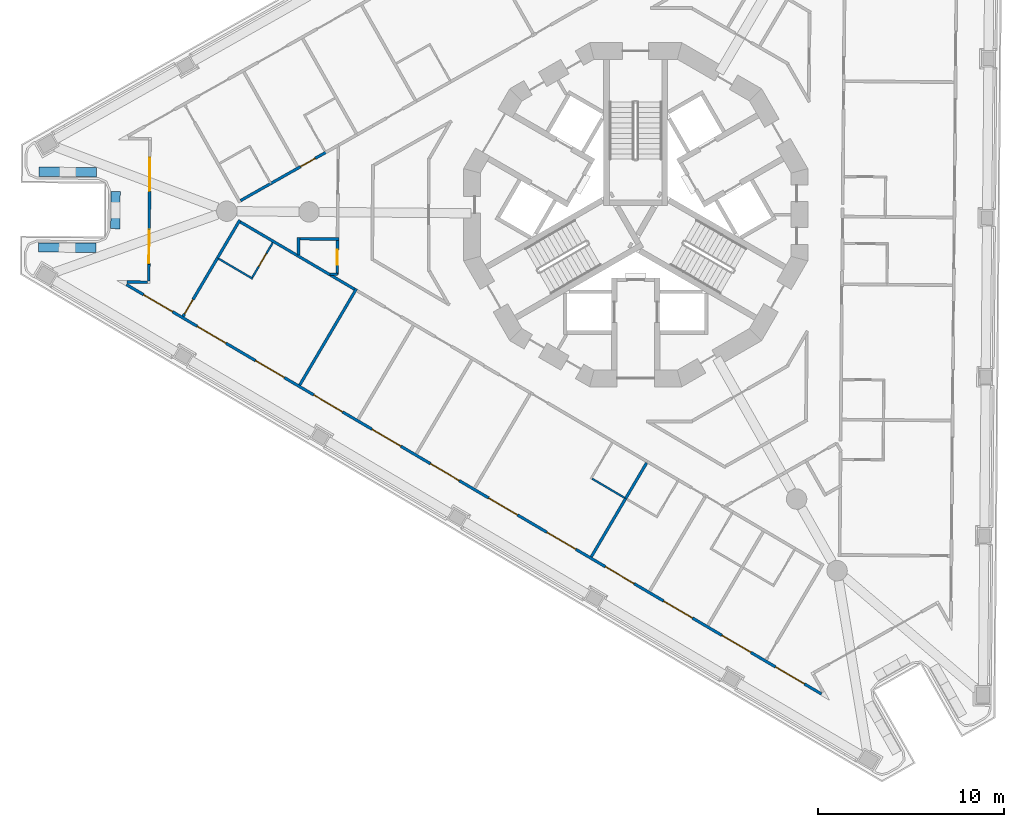
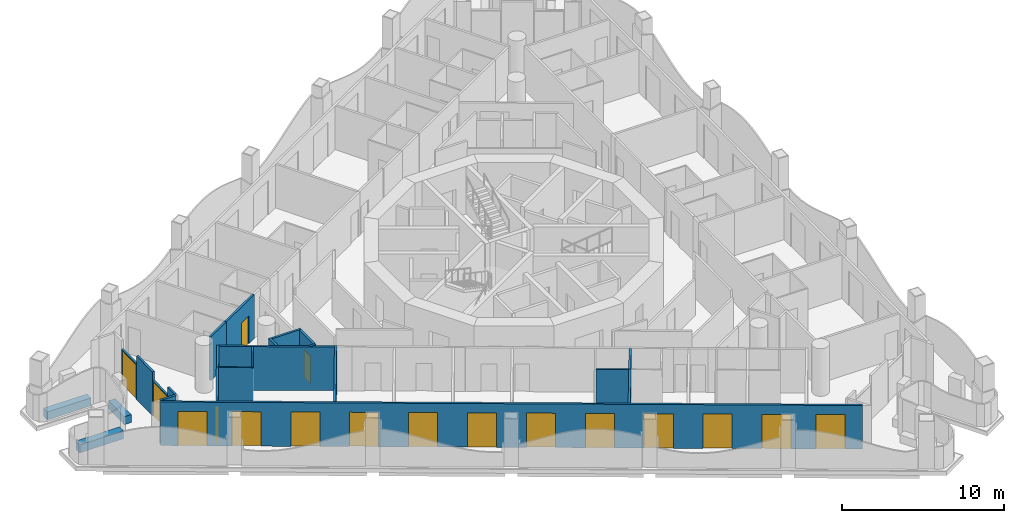
# One storey, part 2 of 17: 24 walls, 18 doors, 18 openings.
"""IFC4 building model written with IfcOpenShell, lengths in metres."""

from ifc_helpers import new_model, si_unit, direction, frame, frame_2d, origin, place, context, subcontext, project, spatial, polyline, rectangle, outline, extrude, material, layer, layer_set, type_object, element, fill, save


model = new_model("IFC4")

# Units and contexts
model_context = context("Model", 3, precision=1e-05, world=origin(), true_north=direction((0.0, 1.0)))
body_context = subcontext(model_context, "Body", "Model", "MODEL_VIEW")
ifc_project = project(units=[si_unit("LENGTHUNIT", "METRE"), si_unit("AREAUNIT", "SQUARE_METRE"), si_unit("VOLUMEUNIT", "CUBIC_METRE"), si_unit("PLANEANGLEUNIT", "RADIAN"), si_unit("MASSUNIT", "GRAM", prefix="KILO")], contexts=[model_context])

# Site, building, storey
site_placement = place(None, origin())
site = spatial("IfcSite", under=ifc_project, at=site_placement, CompositionType="ELEMENT")
building_placement = place(site_placement, origin())
building = spatial("IfcBuilding", under=site, at=building_placement, Name="Trine Commons Tower", CompositionType="ELEMENT")
storey_placement = place(building_placement, frame((0.0, 0.0, 182.699951171875)))
storey = spatial("IfcBuildingStorey", under=building, at=storey_placement, Name="L47", CompositionType="ELEMENT", Elevation=182.699951171875)

# Walls
ifc_material_1 = material(Name="Aluminium-framed insulated wall panel", Category="aluminium")
ifc_layer_1 = layer(ifc_material_1, 0.14990234375)
ifc_layer_set_1 = layer_set([ifc_layer_1], Name="Aluminium-framed insulated wall panel")
wall_type_1 = type_object("IfcWallType", Name="Glazed frame wall 150, EI 60", PredefinedType="SOLIDWALL", material=ifc_layer_set_1)
wall_1_placement = place(storey_placement, frame((52.447265625, 58.875244140625, 0.0), z_axis=(0.0, 0.0, 1.0), x_axis=(0.999962043845, -0.008712684354, 0.0)))
element("IfcWall", 1, at=wall_1_placement, inside=storey, type_object=wall_type_1, Name="Glazed frame wall R1", PredefinedType="SOLIDWALL", context=body_context, shape_type="SweptSolid", body=[
    extrude(outline(polyline([(0.1494140625, 0.074951171875), (0.1494140625, -0.074951171875), (1.235107421875, -0.074951171875), (1.235107421875, 0.074951171875), (0.1494140625, 0.074951171875)])), origin(), (0.0, 0.0, 1.0), 3.300048828125),
])
wall_2_placement = place(storey_placement, frame((53.7568359375, 58.828857421875, 0.0), z_axis=(0.0, 0.0, 1.0), x_axis=(0.008788723053, 0.999961378428, 0.0)))
element("IfcWall", 2, at=wall_2_placement, inside=storey, type_object=wall_type_1, Name="Glazed frame wall P1.1", PredefinedType="SOLIDWALL", context=body_context, shape_type="SweptSolid", body=[
    extrude(outline(polyline([(0.110107421875, -0.074951171875), (1.0, -0.074951171875), (1.0, 0.074951171875), (0.110107421875, 0.074951171875), (0.110107421875, -0.074951171875)])), origin(), (0.0, 0.0, 1.0), 3.300048828125),
])

# Wall, opening, door
wall_3_placement = place(storey_placement, frame((53.765625, 59.828857421875, 0.0), z_axis=(0.0, 0.0, 1.0), x_axis=(0.008737780017, 0.999961824872, 0.0)))
wall_3 = element("IfcWall", 3, at=wall_3_placement, inside=storey, type_object=wall_type_1, Name="Glazed frame wall P1.2", PredefinedType="SOLIDWALL", context=body_context, shape_type="SweptSolid", body=[
    extrude(outline(polyline([(0.0, -0.074951171875), (1.89990234375, -0.074951171875), (1.89990234375, 0.074951171875), (0.0, 0.074951171875), (0.0, -0.074951171875)])), origin(), (0.0, 0.0, 1.0), 2.650146484375),
])
opening_1_placement = place(wall_3_placement, frame((0.050048828125, 0.0, 0.0)))
opening_1 = element("IfcOpeningElement", 4, at=opening_1_placement, cuts=wall_3, Name="Opening BD-5P1-01", PredefinedType="OPENING", context=body_context, shape_type="SweptSolid", body=[
    extrude(rectangle(XDim=1.800048828125, YDim=2.60009765625, at=frame_2d((0.89990234375, 1.300048828125))), frame((0.0, 0.0849609375, 0.0), z_axis=(0.0, -1.0, 0.0), x_axis=(1.0, 0.0, 0.0)), (0.0, 0.0, 1.0), 0.169921875),
])
ifc_material_2 = material(Name="Anodised aluminium frame with double glazing", Category="aluminium")
door_type_1 = type_object("IfcDoorType", Name="Sliding loggia door 1800x2600", OperationType="SLIDING_TO_LEFT", PredefinedType="DOOR", material=ifc_material_2)
door_1_placement = place(opening_1_placement, origin())
door_1 = element("IfcDoor", 5, at=door_1_placement, inside=storey, type_object=door_type_1, Name="Loggia door P1 1", OperationType="SLIDING_TO_LEFT", OverallHeight=2.60009765625, OverallWidth=1.800048828125, PredefinedType="DOOR", context=body_context, shape_type="SweptSolid", body=[
    extrude(rectangle(XDim=1.800048828125, YDim=2.60009765625, at=frame_2d((0.89990234375, 1.300048828125))), frame((0.0, 0.02490234375, 0.0), z_axis=(0.0, -1.0, 0.0), x_axis=(1.0, 0.0, 0.0)), (0.0, 0.0, 1.0), 0.050048828125),
])
fill(opening_1, door_1)

# Wall
wall_4_placement = place(storey_placement, frame((53.7822265625, 61.728759765625, 0.0), z_axis=(0.0, 0.0, 1.0), x_axis=(0.008788723053, 0.999961378428, 0.0)))
element("IfcWall", 6, at=wall_4_placement, inside=storey, type_object=wall_type_1, Name="Glazed frame wall P1.3", PredefinedType="SOLIDWALL", context=body_context, shape_type="SweptSolid", body=[
    extrude(outline(polyline([(0.0, -0.074951171875), (2.0, -0.074951171875), (2.0, 0.074951171875), (0.0, 0.074951171875), (0.0, -0.074951171875)])), origin(), (0.0, 0.0, 1.0), 3.300048828125),
])

# Wall, opening, door
wall_5_placement = place(storey_placement, frame((53.7998046875, 63.728759765625, 0.0), z_axis=(0.0, 0.0, 1.0), x_axis=(0.008609292847, 0.999962939352, 0.0)))
wall_5 = element("IfcWall", 7, at=wall_5_placement, inside=storey, type_object=wall_type_1, Name="Glazed frame wall P1.4", PredefinedType="SOLIDWALL", context=body_context, shape_type="SweptSolid", body=[
    extrude(outline(polyline([(0.0, -0.074951171875), (1.89990234375, -0.074951171875), (1.89990234375, 0.074951171875), (0.0, 0.074951171875), (0.0, -0.074951171875)])), origin(), (0.0, 0.0, 1.0), 2.650146484375),
])
opening_2_placement = place(wall_5_placement, frame((0.050048828125, 0.0, 0.0)))
opening_2 = element("IfcOpeningElement", 8, at=opening_2_placement, cuts=wall_5, Name="Opening BD-5P1-02", PredefinedType="OPENING", context=body_context, shape_type="SweptSolid", body=[
    extrude(rectangle(XDim=1.800048828125, YDim=2.60009765625, at=frame_2d((0.89990234375, 1.300048828125))), frame((0.0, 0.0849609375, 0.0), z_axis=(0.0, -1.0, 0.0), x_axis=(1.0, 0.0, 0.0)), (0.0, 0.0, 1.0), 0.169921875),
])
door_2_placement = place(opening_2_placement, origin())
door_2 = element("IfcDoor", 9, at=door_2_placement, inside=storey, type_object=door_type_1, Name="Loggia door P1 2", OperationType="SLIDING_TO_LEFT", OverallHeight=2.60009765625, OverallWidth=1.800048828125, PredefinedType="DOOR", context=body_context, shape_type="SweptSolid", body=[
    extrude(rectangle(XDim=1.800048828125, YDim=2.60009765625, at=frame_2d((0.89990234375, 1.300048828125))), frame((0.0, 0.02490234375, 0.0), z_axis=(0.0, -1.0, 0.0), x_axis=(1.0, 0.0, 0.0)), (0.0, 0.0, 1.0), 0.050048828125),
])
fill(opening_2, door_2)

# Wall, openings, doors
wall_6_placement = place(storey_placement, frame((90.139404296875, 36.59716796875, 0.0), z_axis=(0.0, 0.0, 1.0), x_axis=(-0.861630336939, 0.507536365659, 0.0)))
wall_6 = element("IfcWall", 10, at=wall_6_placement, inside=storey, type_object=wall_type_1, Name="Glazed frame wall F3", PredefinedType="SOLIDWALL", context=body_context, shape_type="SweptSolid", body=[
    extrude(outline(polyline([(0.1494140625, 0.074951171875), (0.1494140625, -0.074951171875), (43.616943359375, -0.074951171875), (43.616943359375, 0.074951171875), (0.1494140625, 0.074951171875)])), origin(), (0.0, 0.0, 1.0), 3.300048828125),
])
opening_3_placement = place(wall_6_placement, frame((1.2236328125, 0.0, 0.0)))
opening_3 = element("IfcOpeningElement", 11, at=opening_3_placement, cuts=wall_6, Name="Opening BD-5F3-01", PredefinedType="OPENING", context=body_context, shape_type="SweptSolid", body=[
    extrude(rectangle(XDim=1.800048828125, YDim=2.60009765625, at=frame_2d((0.89990234375, 1.300048828125))), frame((0.0, 0.0849609375, 0.0), z_axis=(0.0, -1.0, 0.0), x_axis=(1.0, 0.0, 0.0)), (0.0, 0.0, 1.0), 0.169921875),
])
opening_4_placement = place(wall_6_placement, frame((4.57080078125, 0.0, 0.0)))
opening_4 = element("IfcOpeningElement", 12, at=opening_4_placement, cuts=wall_6, Name="Opening BD-5F3-02", PredefinedType="OPENING", context=body_context, shape_type="SweptSolid", body=[
    extrude(rectangle(XDim=1.800048828125, YDim=2.60009765625, at=frame_2d((0.89990234375, 1.300048828125))), frame((0.0, 0.0849609375, 0.0), z_axis=(0.0, -1.0, 0.0), x_axis=(1.0, 0.0, 0.0)), (0.0, 0.0, 1.0), 0.169921875),
])
opening_5_placement = place(wall_6_placement, frame((8.218017578125, 0.0, 0.0)))
opening_5 = element("IfcOpeningElement", 13, at=opening_5_placement, cuts=wall_6, Name="Opening BD-5F3-03", PredefinedType="OPENING", context=body_context, shape_type="SweptSolid", body=[
    extrude(rectangle(XDim=1.800048828125, YDim=2.60009765625, at=frame_2d((0.89990234375, 1.300048828125))), frame((0.0, 0.0849609375, 0.0), z_axis=(0.0, -1.0, 0.0), x_axis=(1.0, 0.0, 0.0)), (0.0, 0.0, 1.0), 0.169921875),
])
opening_6_placement = place(wall_6_placement, frame((11.865234375, 0.0, 0.0)))
opening_6 = element("IfcOpeningElement", 14, at=opening_6_placement, cuts=wall_6, Name="Opening BD-5F3-04", PredefinedType="OPENING", context=body_context, shape_type="SweptSolid", body=[
    extrude(rectangle(XDim=1.800048828125, YDim=2.60009765625, at=frame_2d((0.89990234375, 1.300048828125))), frame((0.0, 0.0849609375, 0.0), z_axis=(0.0, -1.0, 0.0), x_axis=(1.0, 0.0, 0.0)), (0.0, 0.0, 1.0), 0.169921875),
])
opening_7_placement = place(wall_6_placement, frame((15.512451171875, 0.0, 0.0)))
opening_7 = element("IfcOpeningElement", 15, at=opening_7_placement, cuts=wall_6, Name="Opening BD-5F3-05", PredefinedType="OPENING", context=body_context, shape_type="SweptSolid", body=[
    extrude(rectangle(XDim=1.800048828125, YDim=2.60009765625, at=frame_2d((0.89990234375, 1.300048828125))), frame((0.0, 0.0849609375, 0.0), z_axis=(0.0, -1.0, 0.0), x_axis=(1.0, 0.0, 0.0)), (0.0, 0.0, 1.0), 0.169921875),
])
opening_8_placement = place(wall_6_placement, frame((19.15966796875, 0.0, 0.0)))
opening_8 = element("IfcOpeningElement", 16, at=opening_8_placement, cuts=wall_6, Name="Opening BD-5F3-06", PredefinedType="OPENING", context=body_context, shape_type="SweptSolid", body=[
    extrude(rectangle(XDim=1.800048828125, YDim=2.60009765625, at=frame_2d((0.89990234375, 1.300048828125))), frame((0.0, 0.0849609375, 0.0), z_axis=(0.0, -1.0, 0.0), x_axis=(1.0, 0.0, 0.0)), (0.0, 0.0, 1.0), 0.169921875),
])
opening_9_placement = place(wall_6_placement, frame((22.806884765625, 0.0, 0.0)))
opening_9 = element("IfcOpeningElement", 17, at=opening_9_placement, cuts=wall_6, Name="Opening BD-5F3-07", PredefinedType="OPENING", context=body_context, shape_type="SweptSolid", body=[
    extrude(rectangle(XDim=1.800048828125, YDim=2.60009765625, at=frame_2d((0.89990234375, 1.300048828125))), frame((0.0, 0.0849609375, 0.0), z_axis=(0.0, -1.0, 0.0), x_axis=(1.0, 0.0, 0.0)), (0.0, 0.0, 1.0), 0.169921875),
])
opening_10_placement = place(wall_6_placement, frame((26.4541015625, 0.0, 0.0)))
opening_10 = element("IfcOpeningElement", 18, at=opening_10_placement, cuts=wall_6, Name="Opening BD-5F3-08", PredefinedType="OPENING", context=body_context, shape_type="SweptSolid", body=[
    extrude(rectangle(XDim=1.800048828125, YDim=2.60009765625, at=frame_2d((0.89990234375, 1.300048828125))), frame((0.0, 0.0849609375, 0.0), z_axis=(0.0, -1.0, 0.0), x_axis=(1.0, 0.0, 0.0)), (0.0, 0.0, 1.0), 0.169921875),
])
opening_11_placement = place(wall_6_placement, frame((30.101318359375, 0.0, 0.0)))
opening_11 = element("IfcOpeningElement", 19, at=opening_11_placement, cuts=wall_6, Name="Opening BD-5F3-09", PredefinedType="OPENING", context=body_context, shape_type="SweptSolid", body=[
    extrude(rectangle(XDim=1.800048828125, YDim=2.60009765625, at=frame_2d((0.89990234375, 1.300048828125))), frame((0.0, 0.0849609375, 0.0), z_axis=(0.0, -1.0, 0.0), x_axis=(1.0, 0.0, 0.0)), (0.0, 0.0, 1.0), 0.169921875),
])
opening_12_placement = place(wall_6_placement, frame((33.748291015625, 0.0, 0.0)))
opening_12 = element("IfcOpeningElement", 20, at=opening_12_placement, cuts=wall_6, Name="Opening BD-5F3-10", PredefinedType="OPENING", context=body_context, shape_type="SweptSolid", body=[
    extrude(rectangle(XDim=1.800048828125, YDim=2.60009765625, at=frame_2d((0.89990234375, 1.300048828125))), frame((0.0, 0.0849609375, 0.0), z_axis=(0.0, -1.0, 0.0), x_axis=(1.0, 0.0, 0.0)), (0.0, 0.0, 1.0), 0.169921875),
])
opening_13_placement = place(wall_6_placement, frame((37.3955078125, 0.0, 0.0)))
opening_13 = element("IfcOpeningElement", 21, at=opening_13_placement, cuts=wall_6, Name="Opening BD-5F3-11", PredefinedType="OPENING", context=body_context, shape_type="SweptSolid", body=[
    extrude(rectangle(XDim=1.800048828125, YDim=2.60009765625, at=frame_2d((0.89990234375, 1.300048828125))), frame((0.0, 0.0849609375, 0.0), z_axis=(0.0, -1.0, 0.0), x_axis=(1.0, 0.0, 0.0)), (0.0, 0.0, 1.0), 0.169921875),
])
opening_14_placement = place(wall_6_placement, frame((40.742919921875, 0.0, 0.0)))
opening_14 = element("IfcOpeningElement", 22, at=opening_14_placement, cuts=wall_6, Name="Opening BD-5F3-12", PredefinedType="OPENING", context=body_context, shape_type="SweptSolid", body=[
    extrude(rectangle(XDim=1.800048828125, YDim=2.60009765625, at=frame_2d((0.89990234375, 1.300048828125))), frame((0.0, 0.0849609375, 0.0), z_axis=(0.0, -1.0, 0.0), x_axis=(1.0, 0.0, 0.0)), (0.0, 0.0, 1.0), 0.169921875),
])
door_3_placement = place(opening_3_placement, origin())
door_3 = element("IfcDoor", 23, at=door_3_placement, inside=storey, type_object=door_type_1, Name="Loggia door F3 1", OperationType="SLIDING_TO_LEFT", OverallHeight=2.60009765625, OverallWidth=1.800048828125, PredefinedType="DOOR", context=body_context, shape_type="SweptSolid", body=[
    extrude(rectangle(XDim=1.800048828125, YDim=2.60009765625, at=frame_2d((0.89990234375, 1.300048828125))), frame((0.0, 0.02490234375, 0.0), z_axis=(0.0, -1.0, 0.0), x_axis=(1.0, 0.0, 0.0)), (0.0, 0.0, 1.0), 0.050048828125),
])
fill(opening_3, door_3)
door_4_placement = place(opening_4_placement, origin())
door_4 = element("IfcDoor", 24, at=door_4_placement, inside=storey, type_object=door_type_1, Name="Loggia door F3 2", OperationType="SLIDING_TO_LEFT", OverallHeight=2.60009765625, OverallWidth=1.800048828125, PredefinedType="DOOR", context=body_context, shape_type="SweptSolid", body=[
    extrude(rectangle(XDim=1.800048828125, YDim=2.60009765625, at=frame_2d((0.89990234375, 1.300048828125))), frame((0.0, 0.02490234375, 0.0), z_axis=(0.0, -1.0, 0.0), x_axis=(1.0, 0.0, 0.0)), (0.0, 0.0, 1.0), 0.050048828125),
])
fill(opening_4, door_4)
door_5_placement = place(opening_5_placement, origin())
door_5 = element("IfcDoor", 25, at=door_5_placement, inside=storey, type_object=door_type_1, Name="Loggia door F3 3", OperationType="SLIDING_TO_LEFT", OverallHeight=2.60009765625, OverallWidth=1.800048828125, PredefinedType="DOOR", context=body_context, shape_type="SweptSolid", body=[
    extrude(rectangle(XDim=1.800048828125, YDim=2.60009765625, at=frame_2d((0.89990234375, 1.300048828125))), frame((0.0, 0.02490234375, 0.0), z_axis=(0.0, -1.0, 0.0), x_axis=(1.0, 0.0, 0.0)), (0.0, 0.0, 1.0), 0.050048828125),
])
fill(opening_5, door_5)
door_6_placement = place(opening_6_placement, origin())
door_6 = element("IfcDoor", 26, at=door_6_placement, inside=storey, type_object=door_type_1, Name="Loggia door F3 4", OperationType="SLIDING_TO_LEFT", OverallHeight=2.60009765625, OverallWidth=1.800048828125, PredefinedType="DOOR", context=body_context, shape_type="SweptSolid", body=[
    extrude(rectangle(XDim=1.800048828125, YDim=2.60009765625, at=frame_2d((0.89990234375, 1.300048828125))), frame((0.0, 0.02490234375, 0.0), z_axis=(0.0, -1.0, 0.0), x_axis=(1.0, 0.0, 0.0)), (0.0, 0.0, 1.0), 0.050048828125),
])
fill(opening_6, door_6)
door_7_placement = place(opening_7_placement, origin())
door_7 = element("IfcDoor", 27, at=door_7_placement, inside=storey, type_object=door_type_1, Name="Loggia door F3 5", OperationType="SLIDING_TO_LEFT", OverallHeight=2.60009765625, OverallWidth=1.800048828125, PredefinedType="DOOR", context=body_context, shape_type="SweptSolid", body=[
    extrude(rectangle(XDim=1.800048828125, YDim=2.60009765625, at=frame_2d((0.89990234375, 1.300048828125))), frame((0.0, 0.02490234375, 0.0), z_axis=(0.0, -1.0, 0.0), x_axis=(1.0, 0.0, 0.0)), (0.0, 0.0, 1.0), 0.050048828125),
])
fill(opening_7, door_7)
door_8_placement = place(opening_8_placement, origin())
door_8 = element("IfcDoor", 28, at=door_8_placement, inside=storey, type_object=door_type_1, Name="Loggia door F3 6", OperationType="SLIDING_TO_LEFT", OverallHeight=2.60009765625, OverallWidth=1.800048828125, PredefinedType="DOOR", context=body_context, shape_type="SweptSolid", body=[
    extrude(rectangle(XDim=1.800048828125, YDim=2.60009765625, at=frame_2d((0.89990234375, 1.300048828125))), frame((0.0, 0.02490234375, 0.0), z_axis=(0.0, -1.0, 0.0), x_axis=(1.0, 0.0, 0.0)), (0.0, 0.0, 1.0), 0.050048828125),
])
fill(opening_8, door_8)
door_9_placement = place(opening_9_placement, origin())
door_9 = element("IfcDoor", 29, at=door_9_placement, inside=storey, type_object=door_type_1, Name="Loggia door F3 7", OperationType="SLIDING_TO_LEFT", OverallHeight=2.60009765625, OverallWidth=1.800048828125, PredefinedType="DOOR", context=body_context, shape_type="SweptSolid", body=[
    extrude(rectangle(XDim=1.800048828125, YDim=2.60009765625, at=frame_2d((0.89990234375, 1.300048828125))), frame((0.0, 0.02490234375, 0.0), z_axis=(0.0, -1.0, 0.0), x_axis=(1.0, 0.0, 0.0)), (0.0, 0.0, 1.0), 0.050048828125),
])
fill(opening_9, door_9)
door_10_placement = place(opening_10_placement, origin())
door_10 = element("IfcDoor", 30, at=door_10_placement, inside=storey, type_object=door_type_1, Name="Loggia door F3 8", OperationType="SLIDING_TO_LEFT", OverallHeight=2.60009765625, OverallWidth=1.800048828125, PredefinedType="DOOR", context=body_context, shape_type="SweptSolid", body=[
    extrude(rectangle(XDim=1.800048828125, YDim=2.60009765625, at=frame_2d((0.89990234375, 1.300048828125))), frame((0.0, 0.02490234375, 0.0), z_axis=(0.0, -1.0, 0.0), x_axis=(1.0, 0.0, 0.0)), (0.0, 0.0, 1.0), 0.050048828125),
])
fill(opening_10, door_10)
door_11_placement = place(opening_11_placement, origin())
door_11 = element("IfcDoor", 31, at=door_11_placement, inside=storey, type_object=door_type_1, Name="Loggia door F3 9", OperationType="SLIDING_TO_LEFT", OverallHeight=2.60009765625, OverallWidth=1.800048828125, PredefinedType="DOOR", context=body_context, shape_type="SweptSolid", body=[
    extrude(rectangle(XDim=1.800048828125, YDim=2.60009765625, at=frame_2d((0.89990234375, 1.300048828125))), frame((0.0, 0.02490234375, 0.0), z_axis=(0.0, -1.0, 0.0), x_axis=(1.0, 0.0, 0.0)), (0.0, 0.0, 1.0), 0.050048828125),
])
fill(opening_11, door_11)
door_12_placement = place(opening_12_placement, origin())
door_12 = element("IfcDoor", 32, at=door_12_placement, inside=storey, type_object=door_type_1, Name="Loggia door F3 10", OperationType="SLIDING_TO_LEFT", OverallHeight=2.60009765625, OverallWidth=1.800048828125, PredefinedType="DOOR", context=body_context, shape_type="SweptSolid", body=[
    extrude(rectangle(XDim=1.800048828125, YDim=2.60009765625, at=frame_2d((0.89990234375, 1.300048828125))), frame((0.0, 0.02490234375, 0.0), z_axis=(0.0, -1.0, 0.0), x_axis=(1.0, 0.0, 0.0)), (0.0, 0.0, 1.0), 0.050048828125),
])
fill(opening_12, door_12)
door_13_placement = place(opening_13_placement, origin())
door_13 = element("IfcDoor", 33, at=door_13_placement, inside=storey, type_object=door_type_1, Name="Loggia door F3 11", OperationType="SLIDING_TO_LEFT", OverallHeight=2.60009765625, OverallWidth=1.800048828125, PredefinedType="DOOR", context=body_context, shape_type="SweptSolid", body=[
    extrude(rectangle(XDim=1.800048828125, YDim=2.60009765625, at=frame_2d((0.89990234375, 1.300048828125))), frame((0.0, 0.02490234375, 0.0), z_axis=(0.0, -1.0, 0.0), x_axis=(1.0, 0.0, 0.0)), (0.0, 0.0, 1.0), 0.050048828125),
])
fill(opening_13, door_13)
door_14_placement = place(opening_14_placement, origin())
door_14 = element("IfcDoor", 34, at=door_14_placement, inside=storey, type_object=door_type_1, Name="Loggia door F3 12", OperationType="SLIDING_TO_LEFT", OverallHeight=2.60009765625, OverallWidth=1.800048828125, PredefinedType="DOOR", context=body_context, shape_type="SweptSolid", body=[
    extrude(rectangle(XDim=1.800048828125, YDim=2.60009765625, at=frame_2d((0.89990234375, 1.300048828125))), frame((0.0, 0.02490234375, 0.0), z_axis=(0.0, -1.0, 0.0), x_axis=(1.0, 0.0, 0.0)), (0.0, 0.0, 1.0), 0.050048828125),
])
fill(opening_14, door_14)

# Walls
ifc_material_3 = material(Name="Planter trough, precast concrete C40/50", Category="concrete")
ifc_layer_2 = layer(ifc_material_3, 0.5)
ifc_layer_set_2 = layer_set([ifc_layer_2], Name="Planter trough, precast concrete C40/50")
wall_type_2 = type_object("IfcWallType", Name="Planter trough 500x600", PredefinedType="PARAPET", material=ifc_layer_set_2)
wall_7_placement = place(storey_placement, frame((47.808349609375, 60.74072265625, 0.0), z_axis=(0.0, 0.0, 1.0), x_axis=(0.99996247431, -0.008663138708, 0.0)))
element("IfcWall", 35, at=wall_7_placement, inside=storey, type_object=wall_type_2, Name="Planter 1", PredefinedType="PARAPET", context=body_context, shape_type="SweptSolid", body=[
    extrude(rectangle(XDim=3.099853515625, YDim=0.5, at=frame_2d((1.5498046875, 0.0))), origin(), (0.0, 0.0, 1.0), 0.60009765625),
])
wall_8_placement = place(storey_placement, frame((51.957275390625, 61.74462890625, 0.0), z_axis=(0.0, 0.0, 1.0), x_axis=(0.008666666688, 0.999962443739, 0.0)))
element("IfcWall", 36, at=wall_8_placement, inside=storey, type_object=wall_type_2, Name="Planter 2", PredefinedType="PARAPET", context=body_context, shape_type="SweptSolid", body=[
    extrude(rectangle(XDim=2.0, YDim=0.5, at=frame_2d((1.0, 0.0))), origin(), (0.0, 0.0, 1.0), 0.60009765625),
])
wall_9_placement = place(storey_placement, frame((50.94384765625, 64.793701171875, 0.0), z_axis=(0.0, 0.0, 1.0), x_axis=(-0.999961788962, 0.008741888523, 0.0)))
element("IfcWall", 37, at=wall_9_placement, inside=storey, type_object=wall_type_2, Name="Planter 3", PredefinedType="PARAPET", context=body_context, shape_type="SweptSolid", body=[
    extrude(rectangle(XDim=3.099853515625, YDim=0.5, at=frame_2d((1.5498046875, 0.0))), origin(), (0.0, 0.0, 1.0), 0.60009765625),
])

# Wall, opening, door
ifc_material_4 = material(Name="Gypsum plasterboard on steel stud", Category="steel")
ifc_layer_3 = layer(ifc_material_4, 0.14990234375)
ifc_layer_set_3 = layer_set([ifc_layer_3], Name="Gypsum plasterboard on steel stud")
wall_type_3 = type_object("IfcWallType", Name="Unit and corridor wall 150 mm, EI 60", PredefinedType="PARTITIONING", material=ifc_layer_set_3)
wall_10_placement = place(storey_placement, frame((55.609375, 57.0234375, 0.0), z_axis=(0.0, 0.0, 1.0), x_axis=(0.507673958325, 0.861549274295, 0.0)))
wall_10 = element("IfcWall", 38, at=wall_10_placement, inside=storey, type_object=wall_type_3, Name="Partition 001", PredefinedType="PARTITIONING", context=body_context, shape_type="SweptSolid", body=[
    extrude(rectangle(XDim=3.703369140625, YDim=0.14990234375, at=frame_2d((1.8515625, 0.0))), origin(), (0.0, 0.0, 1.0), 3.300048828125),
])
opening_15_placement = place(wall_10_placement, frame((0.14990234375, 0.0, 0.0)))
opening_15 = element("IfcOpeningElement", 39, at=opening_15_placement, cuts=wall_10, Name="Opening D-5C27", PredefinedType="OPENING", context=body_context, shape_type="SweptSolid", body=[
    extrude(rectangle(XDim=0.89990234375, YDim=2.10009765625, at=frame_2d((0.449951171875, 1.050048828125))), frame((0.0, 0.0849609375, 0.0), z_axis=(0.0, -1.0, 0.0), x_axis=(1.0, 0.0, 0.0)), (0.0, 0.0, 1.0), 0.169921875),
])
ifc_material_5 = material(Name="Timber fire door set", Category="wood")
door_type_2 = type_object("IfcDoorType", Name="Bedroom door 900 x 2100, FD30S", OperationType="NOTDEFINED", PredefinedType="DOOR", material=ifc_material_5)
door_15_placement = place(opening_15_placement, frame((0.89990234375, 0.0, 0.0), z_axis=(0.0, 0.0, 1.0), x_axis=(-1.0, 0.0, 0.0)))
door_15 = element("IfcDoor", 40, at=door_15_placement, inside=storey, type_object=door_type_2, Name="Door D-5C27", OperationType="SINGLE_SWING_RIGHT", OverallHeight=2.10009765625, OverallWidth=0.89990234375, PredefinedType="DOOR", context=body_context, shape_type="SweptSolid", body=[
    extrude(rectangle(XDim=0.89990234375, YDim=2.10009765625, at=frame_2d((0.449951171875, 1.050048828125))), frame((0.0, 0.02490234375, 0.0), z_axis=(0.0, -1.0, 0.0), x_axis=(1.0, 0.0, 0.0)), (0.0, 0.0, 1.0), 0.050048828125),
])
fill(opening_15, door_15)

# Walls
wall_11_placement = place(storey_placement, frame((57.4599609375, 60.1650390625, 0.0), z_axis=(0.0, 0.0, 1.0), x_axis=(0.507459651278, 0.861675520323, 0.0)))
element("IfcWall", 41, at=wall_11_placement, inside=storey, type_object=wall_type_3, Name="Partition 003", PredefinedType="PARTITIONING", context=body_context, shape_type="SweptSolid", body=[
    extrude(rectangle(XDim=2.378662109375, YDim=0.14990234375, at=frame_2d((1.189453125, 0.0))), origin(), (0.0, 0.0, 1.0), 3.300048828125),
])
wall_12_placement = place(storey_placement, frame((58.693603515625, 62.11181640625, 0.0), z_axis=(0.0, 0.0, 1.0), x_axis=(0.861634282469, -0.507529667383, 0.0)))
element("IfcWall", 42, at=wall_12_placement, inside=storey, type_object=wall_type_3, Name="Partition 006", PredefinedType="PARTITIONING", context=body_context, shape_type="SweptSolid", body=[
    extrude(rectangle(XDim=7.22265625, YDim=0.14990234375, at=frame_2d((3.611328125, 0.0))), origin(), (0.0, 0.0, 1.0), 3.300048828125),
])
wall_13_placement = place(storey_placement, frame((58.704345703125, 63.260009765625, 0.0), z_axis=(0.0, 0.0, 1.0), x_axis=(0.870323079534, 0.492481204951, 0.0)))
element("IfcWall", 43, at=wall_13_placement, inside=storey, type_object=wall_type_3, Name="Partition 007", PredefinedType="PARTITIONING", context=body_context, shape_type="SweptSolid", body=[
    extrude(rectangle(XDim=1.87841796875, YDim=0.14990234375, at=frame_2d((0.939208984375, 0.0))), origin(), (0.0, 0.0, 1.0), 3.300048828125),
])

# Wall, opening, door
wall_14_placement = place(storey_placement, frame((60.3330078125, 64.180908203125, 0.0), z_axis=(0.0, 0.0, 1.0), x_axis=(0.870177889585, 0.492737699468, 0.0)))
wall_14 = element("IfcWall", 44, at=wall_14_placement, inside=storey, type_object=wall_type_3, Name="Partition 011", PredefinedType="PARTITIONING", context=body_context, shape_type="SweptSolid", body=[
    extrude(rectangle(XDim=3.451416015625, YDim=0.14990234375, at=frame_2d((1.7255859375, 0.0))), origin(), (0.0, 0.0, 1.0), 3.300048828125),
])
opening_16_placement = place(wall_14_placement, frame((1.850830078125, 0.0, 0.0)))
opening_16 = element("IfcOpeningElement", 45, at=opening_16_placement, cuts=wall_14, Name="Opening D-5C07", PredefinedType="OPENING", context=body_context, shape_type="SweptSolid", body=[
    extrude(rectangle(XDim=0.89990234375, YDim=2.10009765625, at=frame_2d((0.449951171875, 1.050048828125))), frame((0.0, 0.0849609375, 0.0), z_axis=(0.0, -1.0, 0.0), x_axis=(1.0, 0.0, 0.0)), (0.0, 0.0, 1.0), 0.169921875),
])
door_16_placement = place(opening_16_placement, origin())
door_16 = element("IfcDoor", 46, at=door_16_placement, inside=storey, type_object=door_type_2, Name="Door D-5C07", OperationType="SINGLE_SWING_RIGHT", OverallHeight=2.10009765625, OverallWidth=0.89990234375, PredefinedType="DOOR", context=body_context, shape_type="SweptSolid", body=[
    extrude(rectangle(XDim=0.89990234375, YDim=2.10009765625, at=frame_2d((0.449951171875, 1.050048828125))), frame((0.0, 0.02490234375, 0.0), z_axis=(0.0, -1.0, 0.0), x_axis=(1.0, 0.0, 0.0)), (0.0, 0.0, 1.0), 0.050048828125),
])
fill(opening_16, door_16)

# Walls
wall_15_placement = place(storey_placement, frame((61.82568359375, 60.343017578125, 0.0), z_axis=(0.0, 0.0, 1.0), x_axis=(0.008337386084, 0.999965243393, 0.0)))
element("IfcWall", 47, at=wall_15_placement, inside=storey, type_object=wall_type_3, Name="Partition 012", PredefinedType="PARTITIONING", context=body_context, shape_type="SweptSolid", body=[
    extrude(rectangle(XDim=0.93701171875, YDim=0.14990234375, at=frame_2d((0.468505859375, 0.0))), origin(), (0.0, 0.0, 1.0), 3.300048828125),
])
wall_16_placement = place(storey_placement, frame((61.907958984375, 61.204345703125, 0.0), z_axis=(0.0, 0.0, 1.0), x_axis=(0.999962964822, -0.008606333961, 0.0)))
element("IfcWall", 48, at=wall_16_placement, inside=storey, type_object=wall_type_3, Name="Partition 013", PredefinedType="PARTITIONING", context=body_context, shape_type="SweptSolid", body=[
    extrude(rectangle(XDim=2.09912109375, YDim=0.14990234375, at=frame_2d((1.049560546875, 0.0))), origin(), (0.0, 0.0, 1.0), 3.300048828125),
])
wall_17_placement = place(storey_placement, frame((61.894287109375, 53.321533203125, 0.0), z_axis=(0.0, 0.0, 1.0), x_axis=(0.507542448837, 0.861626753663, 0.0)))
element("IfcWall", 49, at=wall_17_placement, inside=storey, type_object=wall_type_3, Name="Partition 014", PredefinedType="PARTITIONING", context=body_context, shape_type="SweptSolid", body=[
    extrude(rectangle(XDim=6.02490234375, YDim=0.14990234375, at=frame_2d((3.012451171875, 0.0))), origin(), (0.0, 0.0, 1.0), 3.300048828125),
])
wall_18_placement = place(storey_placement, frame((63.537109375, 59.29052734375, 0.0), z_axis=(0.0, 0.0, 1.0), x_axis=(0.99995807265, -0.009157125207, 0.0)))
element("IfcWall", 50, at=wall_18_placement, inside=storey, type_object=wall_type_3, Name="Partition 019", PredefinedType="PARTITIONING", context=body_context, shape_type="SweptSolid", body=[
    extrude(rectangle(XDim=0.39990234375, YDim=0.14990234375, at=frame_2d((0.199951171875, 0.0))), origin(), (0.0, 0.0, 1.0), 3.300048828125),
])

# Wall, opening, door
wall_19_placement = place(storey_placement, frame((63.916015625, 59.282958984375, 0.0), z_axis=(0.0, 0.0, 1.0), x_axis=(0.008923459297, 0.999960185144, 0.0)))
wall_19 = element("IfcWall", 51, at=wall_19_placement, inside=storey, type_object=wall_type_3, Name="Partition 020", PredefinedType="PARTITIONING", context=body_context, shape_type="SweptSolid", body=[
    extrude(rectangle(XDim=1.8330078125, YDim=0.14990234375, at=frame_2d((0.91650390625, 0.0))), origin(), (0.0, 0.0, 1.0), 3.300048828125),
])
opening_17_placement = place(wall_19_placement, frame((0.5185546875, 0.0, 0.0)))
opening_17 = element("IfcOpeningElement", 52, at=opening_17_placement, cuts=wall_19, Name="Opening D-5C05", PredefinedType="OPENING", context=body_context, shape_type="SweptSolid", body=[
    extrude(rectangle(XDim=0.800048828125, YDim=2.10009765625, at=frame_2d((0.39990234375, 1.050048828125))), frame((0.0, 0.0849609375, 0.0), z_axis=(0.0, -1.0, 0.0), x_axis=(1.0, 0.0, 0.0)), (0.0, 0.0, 1.0), 0.169921875),
])
ifc_material_6 = material(Name="Painted timber", Category="wood")
door_type_3 = type_object("IfcDoorType", Name="Toilet door 800 x 2100, NOT RATED", OperationType="NOTDEFINED", PredefinedType="DOOR", material=ifc_material_6)
door_17_placement = place(opening_17_placement, origin())
door_17 = element("IfcDoor", 53, at=door_17_placement, inside=storey, type_object=door_type_3, Name="Door D-5C05", OperationType="SINGLE_SWING_RIGHT", OverallHeight=2.10009765625, OverallWidth=0.800048828125, PredefinedType="DOOR", context=body_context, shape_type="SweptSolid", body=[
    extrude(rectangle(XDim=0.800048828125, YDim=2.10009765625, at=frame_2d((0.39990234375, 1.050048828125))), frame((0.0, 0.02490234375, 0.0), z_axis=(0.0, -1.0, 0.0), x_axis=(1.0, 0.0, 0.0)), (0.0, 0.0, 1.0), 0.050048828125),
])
fill(opening_17, door_17)

# Walls
wall_20_placement = place(storey_placement, frame((77.607421875, 44.06640625, 0.0), z_axis=(0.0, 0.0, 1.0), x_axis=(0.50751135469, 0.861645068959, 0.0)))
element("IfcWall", 54, at=wall_20_placement, inside=storey, type_object=wall_type_3, Name="Partition 046", PredefinedType="PARTITIONING", context=body_context, shape_type="SweptSolid", body=[
    extrude(rectangle(XDim=3.6484375, YDim=0.14990234375, at=frame_2d((1.82421875, 0.0))), origin(), (0.0, 0.0, 1.0), 3.300048828125),
])
wall_21_placement = place(storey_placement, frame((79.458984375, 47.2099609375, 0.0), z_axis=(0.0, 0.0, 1.0), x_axis=(0.507671952173, 0.861550456431, 0.0)))
element("IfcWall", 55, at=wall_21_placement, inside=storey, type_object=wall_type_3, Name="Partition 053", PredefinedType="PARTITIONING", context=body_context, shape_type="SweptSolid", body=[
    extrude(rectangle(XDim=2.2255859375, YDim=0.14990234375, at=frame_2d((1.11279296875, 0.0))), origin(), (0.0, 0.0, 1.0), 3.300048828125),
])
ifc_layer_4 = layer(ifc_material_4, 0.10009765625)
ifc_layer_set_4 = layer_set([ifc_layer_4], Name="Gypsum plasterboard on steel stud")
wall_type_4 = type_object("IfcWallType", Name="Unit partition 100 mm, no rating", PredefinedType="PARTITIONING", material=ifc_layer_set_4)
wall_22_placement = place(storey_placement, frame((57.526611328125, 60.1298828125, 0.0), z_axis=(0.0, 0.0, 1.0), x_axis=(0.861612050722, -0.507567408381, 0.0)))
element("IfcWall", 56, at=wall_22_placement, inside=storey, type_object=wall_type_4, Name="Partition 004", PredefinedType="PARTITIONING", context=body_context, shape_type="SweptSolid", body=[
    extrude(rectangle(XDim=2.12451171875, YDim=0.10009765625, at=frame_2d((1.062255859375, 0.0))), origin(), (0.0, 0.0, 1.0), 3.300048828125),
])

# Wall, opening, door
wall_23_placement = place(storey_placement, frame((59.33935546875, 59.1201171875, 0.0), z_axis=(0.0, 0.0, 1.0), x_axis=(0.507363468798, 0.861732157071, 0.0)))
wall_23 = element("IfcWall", 57, at=wall_23_placement, inside=storey, type_object=wall_type_4, Name="Partition 010", PredefinedType="PARTITIONING", context=body_context, shape_type="SweptSolid", body=[
    extrude(rectangle(XDim=2.175048828125, YDim=0.10009765625, at=frame_2d((1.08740234375, 0.0))), origin(), (0.0, 0.0, 1.0), 3.300048828125),
])
opening_18_placement = place(wall_23_placement, frame((0.6875, 0.0, 0.0)))
opening_18 = element("IfcOpeningElement", 58, at=opening_18_placement, cuts=wall_23, Name="Opening D-5C50", PredefinedType="OPENING", context=body_context, shape_type="SweptSolid", body=[
    extrude(rectangle(XDim=0.800048828125, YDim=2.10009765625, at=frame_2d((0.39990234375, 1.050048828125))), frame((0.0, 0.06005859375, 0.0), z_axis=(0.0, -1.0, 0.0), x_axis=(1.0, 0.0, 0.0)), (0.0, 0.0, 1.0), 0.1201171875),
])
door_type_4 = type_object("IfcDoorType", Name="Internal door 800 x 2100, NOT RATED", OperationType="NOTDEFINED", PredefinedType="DOOR", material=ifc_material_6)
door_18_placement = place(opening_18_placement, frame((0.800048828125, 0.0, 0.0), z_axis=(0.0, 0.0, 1.0), x_axis=(-1.0, 0.0, 0.0)))
door_18 = element("IfcDoor", 59, at=door_18_placement, inside=storey, type_object=door_type_4, Name="Door D-5C50", OperationType="SINGLE_SWING_RIGHT", OverallHeight=2.10009765625, OverallWidth=0.800048828125, PredefinedType="DOOR", context=body_context, shape_type="SweptSolid", body=[
    extrude(rectangle(XDim=0.800048828125, YDim=2.10009765625, at=frame_2d((0.39990234375, 1.050048828125))), frame((0.0, 0.02490234375, 0.0), z_axis=(0.0, -1.0, 0.0), x_axis=(1.0, 0.0, 0.0)), (0.0, 0.0, 1.0), 0.050048828125),
])
fill(opening_18, door_18)

# Wall
wall_24_placement = place(storey_placement, frame((77.650146484375, 48.276611328125, 0.0), z_axis=(0.0, 0.0, 1.0), x_axis=(0.861372667152, -0.507973550771, 0.0)))
element("IfcWall", 60, at=wall_24_placement, inside=storey, type_object=wall_type_4, Name="Partition 048", PredefinedType="PARTITIONING", context=body_context, shape_type="SweptSolid", body=[
    extrude(rectangle(XDim=2.02490234375, YDim=0.10009765625, at=frame_2d((1.012451171875, 0.0))), origin(), (0.0, 0.0, 1.0), 3.300048828125),
])

save(model, "model.ifc")
